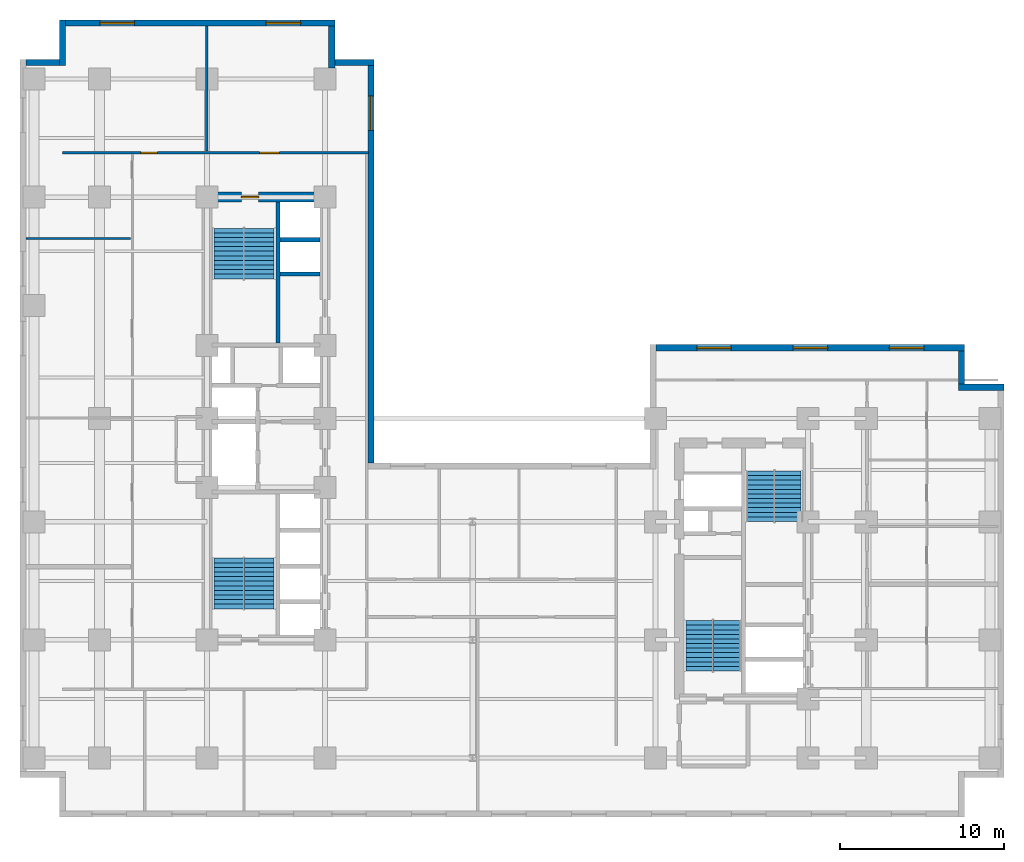
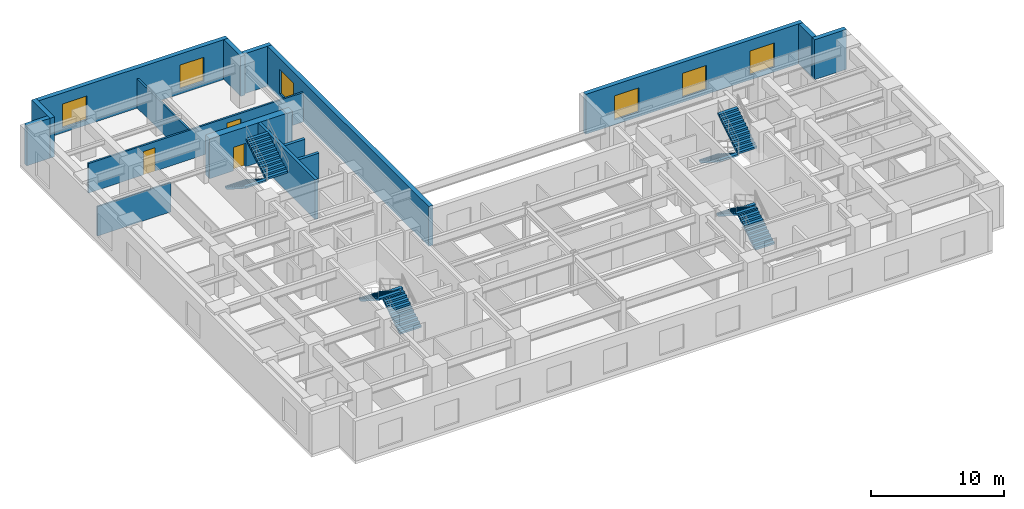
# One storey, part 6 of 9: 16 walls, 8 stair flights, 6 windows, 3 doors, 9 openings, 4 elements without a shape of their own.
"""IFC4 building model written with IfcOpenShell, lengths in metres."""

from ifc_helpers import new_model, entity, si_unit, converted_unit, direction, frame, origin_with_axes, origin_2d_with_axis, place, context, subcontext, project, spatial, polyline, rectangle, outline, extrude, material, layer, layer_set, type_object, element, fill, aggregate, save


model = new_model("IFC4")

# Units and contexts
model_context = context("Model", 3, precision=1e-05, world=origin_with_axes(), true_north=direction((0.0, 1.0)))
body_context = subcontext(model_context, "Body", "Model", "MODEL_VIEW")
ifc_project = project(units=[si_unit("LENGTHUNIT", "METRE"), si_unit("AREAUNIT", "SQUARE_METRE"), si_unit("VOLUMEUNIT", "CUBIC_METRE"), converted_unit("PLANEANGLEUNIT", "DEGREE", entity("IfcPlaneAngleMeasure", 0.017453292519943295), si_unit("PLANEANGLEUNIT", "RADIAN"), dimensions=[0, 0, 0, 0, 0, 0, 0]), si_unit("MASSUNIT", "GRAM", prefix="KILO"), si_unit("THERMODYNAMICTEMPERATUREUNIT", "KELVIN")], contexts=[model_context])

# Site, building, storey
site_placement = place(None, origin_with_axes())
site = spatial("IfcSite", under=ifc_project, at=site_placement, CompositionType="ELEMENT")
building_placement = place(site_placement, origin_with_axes())
building = spatial("IfcBuilding", under=site, at=building_placement, Name="Varnlund Millrace Tower", CompositionType="ELEMENT")
storey_placement = place(building_placement, frame((0.0, 0.0, 40.5), z_axis=(0.0, 0.0, 1.0), x_axis=(1.0, 0.0, 0.0)))
storey = spatial("IfcBuildingStorey", under=building, at=storey_placement, Name="L09", CompositionType="ELEMENT", Elevation=40.5)

# Wall, opening, door
ifc_material_1 = material(Name="Concrete C80/95", Category="concrete")
ifc_layer_1 = layer(ifc_material_1, 0.6, Name="Concrete C80/95")
ifc_layer_set_1 = layer_set([ifc_layer_1], Name="Concrete C80/95")
wall_type_1 = type_object("IfcWallType", Name="Type-CoreWall-Shear-600-C80", PredefinedType="SHEAR", material=ifc_layer_set_1)
wall_1_placement = place(storey_placement, frame((11.4, 37.8, 0.0), z_axis=(0.0, 0.0, 1.0), x_axis=(1.0, 0.0, 0.0)))
wall_1 = element("IfcWall", 1, at=wall_1_placement, inside=storey, type_object=wall_type_1, Name="Type-CoreWall-Shear-600-C80", PredefinedType="SHEAR", context=body_context, shape_type="SweptSolid", body=[
    extrude(outline(polyline([(0.0, -0.3), (7.2, -0.3), (7.2, 0.3), (0.0, 0.3), (0.0, -0.3)])), origin_with_axes(), (0.0, 0.0, 1.0), 3.66),
])
opening_1_placement = place(wall_1_placement, frame((2.625, 0.0, 0.0), z_axis=(0.0, 0.0, 1.0), x_axis=(1.0, 0.0, 0.0)))
opening_1 = element("IfcOpeningElement", 2, at=opening_1_placement, cuts=wall_1, Name="Opening L09:DR-STA2", PredefinedType="OPENING", context=body_context, shape_type="SweptSolid", body=[
    extrude(rectangle(XDim=1.05, YDim=0.62, at=origin_2d_with_axis()), origin_with_axes(), (0.0, 0.0, 1.0), 2.15),
])
ifc_material_2 = material(Name="Fire-rated hollow steel door", Category="steel")
door_type_1 = type_object("IfcDoorType", Name="Type-FireDoor-Stair-1050X2150", OperationType="NOTDEFINED", PredefinedType="DOOR", material=ifc_material_2)
door_1_placement = place(wall_1_placement, frame((2.625, 0.0, 0.0), z_axis=(0.0, 0.0, 1.0), x_axis=(1.0, 0.0, 0.0)))
door_1 = element("IfcDoor", 3, at=door_1_placement, inside=storey, type_object=door_type_1, Name="Type-FireDoor-Stair-1050X2150", OperationType="SINGLE_SWING_RIGHT", OverallHeight=2.15, OverallWidth=1.05, PredefinedType="DOOR", context=body_context, shape_type="SweptSolid", body=[
    extrude(rectangle(XDim=1.05, YDim=0.09, at=origin_2d_with_axis()), origin_with_axes(), (0.0, 0.0, 1.0), 2.15),
])
fill(opening_1, door_1)

# Wall, openings, windows
ifc_material_3 = material(Name="Precast concrete C50/60", Category="concrete")
ifc_layer_2 = layer(ifc_material_3, 0.38, Name="Precast concrete C50/60")
ifc_layer_set_2 = layer_set([ifc_layer_2], Name="Precast concrete C50/60")
wall_type_2 = type_object("IfcWallType", Name="Type-ExtWall-Precast-Tube-380", PredefinedType="SOLIDWALL", material=ifc_layer_set_2)
wall_2_placement = place(storey_placement, frame((38.78, 28.61, 0.0), z_axis=(0.0, 0.0, 1.0), x_axis=(1.0, 0.0, 0.0)))
wall_2 = element("IfcWall", 4, at=wall_2_placement, inside=storey, type_object=wall_type_2, Name="Type-ExtWall-Precast-Tube-380", PredefinedType="SOLIDWALL", context=body_context, shape_type="SweptSolid", body=[
    extrude(outline(polyline([(0.0, -0.19), (18.82, -0.19), (18.82, 0.19), (0.0, 0.19), (0.0, -0.19)])), origin_with_axes(), (0.0, 0.0, 1.0), 3.66),
])
opening_2_placement = place(wall_2_placement, frame((3.537, 0.0, 0.45), z_axis=(0.0, 0.0, 1.0), x_axis=(1.0, 0.0, 0.0)))
opening_2 = element("IfcOpeningElement", 5, at=opening_2_placement, cuts=wall_2, Name="Opening L09:WN-01", PredefinedType="OPENING", context=body_context, shape_type="SweptSolid", body=[
    extrude(rectangle(XDim=2.1, YDim=0.4, at=origin_2d_with_axis()), origin_with_axes(), (0.0, 0.0, 1.0), 2.2),
])
opening_3_placement = place(wall_2_placement, frame((9.41, 0.0, 0.45), z_axis=(0.0, 0.0, 1.0), x_axis=(1.0, 0.0, 0.0)))
opening_3 = element("IfcOpeningElement", 6, at=opening_3_placement, cuts=wall_2, Name="Opening L09:WN-02", PredefinedType="OPENING", context=body_context, shape_type="SweptSolid", body=[
    extrude(rectangle(XDim=2.1, YDim=0.4, at=origin_2d_with_axis()), origin_with_axes(), (0.0, 0.0, 1.0), 2.2),
])
opening_4_placement = place(wall_2_placement, frame((15.283, 0.0, 0.45), z_axis=(0.0, 0.0, 1.0), x_axis=(1.0, 0.0, 0.0)))
opening_4 = element("IfcOpeningElement", 7, at=opening_4_placement, cuts=wall_2, Name="Opening L09:WN-03", PredefinedType="OPENING", context=body_context, shape_type="SweptSolid", body=[
    extrude(rectangle(XDim=2.1, YDim=0.4, at=origin_2d_with_axis()), origin_with_axes(), (0.0, 0.0, 1.0), 2.2),
])
ifc_material_4 = material(Name="Argon low-e triple glazing in thermally broken bronze frame", Category="glass")
window_type = type_object("IfcWindowType", Name="Type-Window-Punched-2100X2200", PartitioningType="SINGLE_PANEL", PredefinedType="WINDOW", material=ifc_material_4)
window_1_placement = place(wall_2_placement, frame((3.537, 0.0, 0.45), z_axis=(0.0, 0.0, 1.0), x_axis=(1.0, 0.0, 0.0)))
window_1 = element("IfcWindow", 8, at=window_1_placement, inside=storey, type_object=window_type, Name="Type-Window-Punched-2100X2200", OverallHeight=2.2, OverallWidth=2.1, PredefinedType="WINDOW", context=body_context, shape_type="SweptSolid", body=[
    extrude(rectangle(XDim=2.1, YDim=0.09, at=origin_2d_with_axis()), origin_with_axes(), (0.0, 0.0, 1.0), 2.2),
])
fill(opening_2, window_1)
window_2_placement = place(wall_2_placement, frame((9.41, 0.0, 0.45), z_axis=(0.0, 0.0, 1.0), x_axis=(1.0, 0.0, 0.0)))
window_2 = element("IfcWindow", 9, at=window_2_placement, inside=storey, type_object=window_type, Name="Type-Window-Punched-2100X2200", OverallHeight=2.2, OverallWidth=2.1, PredefinedType="WINDOW", context=body_context, shape_type="SweptSolid", body=[
    extrude(rectangle(XDim=2.1, YDim=0.09, at=origin_2d_with_axis()), origin_with_axes(), (0.0, 0.0, 1.0), 2.2),
])
fill(opening_3, window_2)
window_3_placement = place(wall_2_placement, frame((15.283, 0.0, 0.45), z_axis=(0.0, 0.0, 1.0), x_axis=(1.0, 0.0, 0.0)))
window_3 = element("IfcWindow", 10, at=window_3_placement, inside=storey, type_object=window_type, Name="Type-Window-Punched-2100X2200", OverallHeight=2.2, OverallWidth=2.1, PredefinedType="WINDOW", context=body_context, shape_type="SweptSolid", body=[
    extrude(rectangle(XDim=2.1, YDim=0.09, at=origin_2d_with_axis()), origin_with_axes(), (0.0, 0.0, 1.0), 2.2),
])
fill(opening_4, window_3)

# Walls
wall_3_placement = place(storey_placement, frame((57.41, 28.42, 0.0), z_axis=(0.0, 0.0, 1.0), x_axis=(0.0, -1.0, 0.0)))
element("IfcWall", 11, at=wall_3_placement, inside=storey, type_object=wall_type_2, Name="Type-ExtWall-Precast-Tube-380", PredefinedType="SOLIDWALL", context=body_context, shape_type="SweptSolid", body=[
    extrude(outline(polyline([(0.0, -0.19), (2.02, -0.19), (2.02, 0.19), (0.0, 0.19), (0.0, -0.19)])), origin_with_axes(), (0.0, 0.0, 1.0), 3.66),
])
wall_4_placement = place(storey_placement, frame((57.22, 26.21, 0.0), z_axis=(0.0, 0.0, 1.0), x_axis=(1.0, 0.0, 0.0)))
element("IfcWall", 12, at=wall_4_placement, inside=storey, type_object=wall_type_2, Name="Type-ExtWall-Precast-Tube-380", PredefinedType="SOLIDWALL", context=body_context, shape_type="SweptSolid", body=[
    extrude(outline(polyline([(0.0, -0.19), (2.78, -0.19), (2.78, 0.19), (0.0, 0.19), (0.0, -0.19)])), origin_with_axes(), (0.0, 0.0, 1.0), 3.66),
])
wall_5_placement = place(storey_placement, frame((0.38, 46.01, 0.0), z_axis=(0.0, 0.0, 1.0), x_axis=(1.0, 0.0, 0.0)))
element("IfcWall", 13, at=wall_5_placement, inside=storey, type_object=wall_type_2, Name="Type-ExtWall-Precast-Tube-380", PredefinedType="SOLIDWALL", context=body_context, shape_type="SweptSolid", body=[
    extrude(outline(polyline([(0.0, -0.19), (2.02, -0.19), (2.02, 0.19), (0.0, 0.19), (0.0, -0.19)])), origin_with_axes(), (0.0, 0.0, 1.0), 3.66),
])
wall_6_placement = place(storey_placement, frame((2.59, 45.82, 0.0), z_axis=(0.0, 0.0, 1.0), x_axis=(0.0, 1.0, 0.0)))
element("IfcWall", 14, at=wall_6_placement, inside=storey, type_object=wall_type_2, Name="Type-ExtWall-Precast-Tube-380", PredefinedType="SOLIDWALL", context=body_context, shape_type="SweptSolid", body=[
    extrude(outline(polyline([(0.0, -0.19), (2.78, -0.19), (2.78, 0.19), (0.0, 0.19), (0.0, -0.19)])), origin_with_axes(), (0.0, 0.0, 1.0), 3.66),
])

# Wall, openings, windows
wall_7_placement = place(storey_placement, frame((2.78, 48.41, 0.0), z_axis=(0.0, 0.0, 1.0), x_axis=(1.0, 0.0, 0.0)))
wall_7 = element("IfcWall", 15, at=wall_7_placement, inside=storey, type_object=wall_type_2, Name="Type-ExtWall-Precast-Tube-380", PredefinedType="SOLIDWALL", context=body_context, shape_type="SweptSolid", body=[
    extrude(outline(polyline([(0.0, -0.19), (16.42, -0.19), (16.42, 0.19), (0.0, 0.19), (0.0, -0.19)])), origin_with_axes(), (0.0, 0.0, 1.0), 3.66),
])
opening_5_placement = place(wall_7_placement, frame((3.137, 0.0, 0.45), z_axis=(0.0, 0.0, 1.0), x_axis=(1.0, 0.0, 0.0)))
opening_5 = element("IfcOpeningElement", 16, at=opening_5_placement, cuts=wall_7, Name="Opening L09:WN-21", PredefinedType="OPENING", context=body_context, shape_type="SweptSolid", body=[
    extrude(rectangle(XDim=2.1, YDim=0.4, at=origin_2d_with_axis()), origin_with_axes(), (0.0, 0.0, 1.0), 2.2),
])
opening_6_placement = place(wall_7_placement, frame((13.283, 0.0, 0.45), z_axis=(0.0, 0.0, 1.0), x_axis=(1.0, 0.0, 0.0)))
opening_6 = element("IfcOpeningElement", 17, at=opening_6_placement, cuts=wall_7, Name="Opening L09:WN-22", PredefinedType="OPENING", context=body_context, shape_type="SweptSolid", body=[
    extrude(rectangle(XDim=2.1, YDim=0.4, at=origin_2d_with_axis()), origin_with_axes(), (0.0, 0.0, 1.0), 2.2),
])
window_4_placement = place(wall_7_placement, frame((3.137, 0.0, 0.45), z_axis=(0.0, 0.0, 1.0), x_axis=(1.0, 0.0, 0.0)))
window_4 = element("IfcWindow", 18, at=window_4_placement, inside=storey, type_object=window_type, Name="Type-Window-Punched-2100X2200", OverallHeight=2.2, OverallWidth=2.1, PredefinedType="WINDOW", context=body_context, shape_type="SweptSolid", body=[
    extrude(rectangle(XDim=2.1, YDim=0.09, at=origin_2d_with_axis()), origin_with_axes(), (0.0, 0.0, 1.0), 2.2),
])
fill(opening_5, window_4)
window_5_placement = place(wall_7_placement, frame((13.283, 0.0, 0.45), z_axis=(0.0, 0.0, 1.0), x_axis=(1.0, 0.0, 0.0)))
window_5 = element("IfcWindow", 19, at=window_5_placement, inside=storey, type_object=window_type, Name="Type-Window-Punched-2100X2200", OverallHeight=2.2, OverallWidth=2.1, PredefinedType="WINDOW", context=body_context, shape_type="SweptSolid", body=[
    extrude(rectangle(XDim=2.1, YDim=0.09, at=origin_2d_with_axis()), origin_with_axes(), (0.0, 0.0, 1.0), 2.2),
])
fill(opening_6, window_5)

# Walls
wall_8_placement = place(storey_placement, frame((19.01, 48.22, 0.0), z_axis=(0.0, 0.0, 1.0), x_axis=(0.0, -1.0, 0.0)))
element("IfcWall", 20, at=wall_8_placement, inside=storey, type_object=wall_type_2, Name="Type-ExtWall-Precast-Tube-380", PredefinedType="SOLIDWALL", context=body_context, shape_type="SweptSolid", body=[
    extrude(outline(polyline([(0.0, -0.19), (2.56, -0.19), (2.56, 0.19), (0.0, 0.19), (0.0, -0.19)])), origin_with_axes(), (0.0, 0.0, 1.0), 3.66),
])
wall_9_placement = place(storey_placement, frame((18.82, 46.01, 0.0), z_axis=(0.0, 0.0, 1.0), x_axis=(1.0, 0.0, 0.0)))
element("IfcWall", 21, at=wall_9_placement, inside=storey, type_object=wall_type_2, Name="Type-ExtWall-Precast-Tube-380", PredefinedType="SOLIDWALL", context=body_context, shape_type="SweptSolid", body=[
    extrude(outline(polyline([(0.0, -0.19), (2.78, -0.19), (2.78, 0.19), (0.0, 0.19), (0.0, -0.19)])), origin_with_axes(), (0.0, 0.0, 1.0), 3.66),
])

# Wall, opening, window
wall_10_placement = place(storey_placement, frame((21.41, 45.82, 0.0), z_axis=(0.0, 0.0, 1.0), x_axis=(0.0, -1.0, 0.0)))
wall_10 = element("IfcWall", 22, at=wall_10_placement, inside=storey, type_object=wall_type_2, Name="Type-ExtWall-Precast-Tube-380", PredefinedType="SOLIDWALL", context=body_context, shape_type="SweptSolid", body=[
    extrude(outline(polyline([(0.0, -0.19), (24.22, -0.19), (24.22, 0.19), (0.0, 0.19), (0.0, -0.19)])), origin_with_axes(), (0.0, 0.0, 1.0), 3.66),
])
opening_7_placement = place(wall_10_placement, frame((2.902, 0.0, 0.45), z_axis=(0.0, 0.0, 1.0), x_axis=(1.0, 0.0, 0.0)))
opening_7 = element("IfcOpeningElement", 23, at=opening_7_placement, cuts=wall_10, Name="Opening L09:WN-23", PredefinedType="OPENING", context=body_context, shape_type="SweptSolid", body=[
    extrude(rectangle(XDim=2.1, YDim=0.4, at=origin_2d_with_axis()), origin_with_axes(), (0.0, 0.0, 1.0), 2.2),
])
window_6_placement = place(wall_10_placement, frame((2.902, 0.0, 0.45), z_axis=(0.0, 0.0, 1.0), x_axis=(1.0, 0.0, 0.0)))
window_6 = element("IfcWindow", 24, at=window_6_placement, inside=storey, type_object=window_type, Name="Type-Window-Punched-2100X2200", OverallHeight=2.2, OverallWidth=2.1, PredefinedType="WINDOW", context=body_context, shape_type="SweptSolid", body=[
    extrude(rectangle(XDim=2.1, YDim=0.09, at=origin_2d_with_axis()), origin_with_axes(), (0.0, 0.0, 1.0), 2.2),
])
fill(opening_7, window_6)

# Wall, openings, doors
ifc_material_5 = material(Name="Fire-rated gypsum board on cold-formed steel framing", Category="steel")
ifc_layer_3 = layer(ifc_material_5, 0.16, Name="Fire-rated gypsum board on cold-formed steel framing")
ifc_layer_set_3 = layer_set([ifc_layer_3], Name="Fire-rated gypsum board on cold-formed steel framing")
wall_type_3 = type_object("IfcWallType", Name="Type-Partition-Corridor-160", PredefinedType="PARTITIONING", material=ifc_layer_set_3)
wall_11_placement = place(storey_placement, frame((2.6, 40.5, 0.0), z_axis=(0.0, 0.0, 1.0), x_axis=(1.0, 0.0, 0.0)))
wall_11 = element("IfcWall", 25, at=wall_11_placement, inside=storey, type_object=wall_type_3, Name="Type-Partition-Corridor-160", PredefinedType="PARTITIONING", context=body_context, shape_type="SweptSolid", body=[
    extrude(outline(polyline([(0.0, -0.08), (18.65, -0.08), (18.65, 0.08), (0.0, 0.08), (0.0, -0.08)])), origin_with_axes(), (0.0, 0.0, 1.0), 2.7),
])
opening_8_placement = place(wall_11_placement, frame((5.275, 0.0, 0.0), z_axis=(0.0, 0.0, 1.0), x_axis=(1.0, 0.0, 0.0)))
opening_8 = element("IfcOpeningElement", 26, at=opening_8_placement, cuts=wall_11, Name="Opening L09:DR-WAN-01", PredefinedType="OPENING", context=body_context, shape_type="SweptSolid", body=[
    extrude(rectangle(XDim=1.0, YDim=0.18, at=origin_2d_with_axis()), origin_with_axes(), (0.0, 0.0, 1.0), 2.15),
])
opening_9_placement = place(wall_11_placement, frame((12.61, 0.0, 0.0), z_axis=(0.0, 0.0, 1.0), x_axis=(1.0, 0.0, 0.0)))
opening_9 = element("IfcOpeningElement", 27, at=opening_9_placement, cuts=wall_11, Name="Opening L09:DR-WAN-02", PredefinedType="OPENING", context=body_context, shape_type="SweptSolid", body=[
    extrude(rectangle(XDim=1.2, YDim=0.18, at=origin_2d_with_axis()), origin_with_axes(), (0.0, 0.0, 1.0), 2.2),
])
ifc_material_6 = material(Name="Wide executive white oak acoustic door")
door_type_2 = type_object("IfcDoorType", Name="Type-IntDoor-Exec-1200X2200", OperationType="NOTDEFINED", PredefinedType="DOOR", material=ifc_material_6)
door_2_placement = place(wall_11_placement, frame((12.61, 0.0, 0.0), z_axis=(0.0, 0.0, 1.0), x_axis=(1.0, 0.0, 0.0)))
door_2 = element("IfcDoor", 28, at=door_2_placement, inside=storey, type_object=door_type_2, Name="Type-IntDoor-Exec-1200X2200", OperationType="SINGLE_SWING_RIGHT", OverallHeight=2.2, OverallWidth=1.2, PredefinedType="DOOR", context=body_context, shape_type="SweptSolid", body=[
    extrude(rectangle(XDim=1.2, YDim=0.09, at=origin_2d_with_axis()), origin_with_axes(), (0.0, 0.0, 1.0), 2.2),
])
fill(opening_9, door_2)
ifc_material_7 = material(Name="Solid-core white oak and bronze frame door")
door_type_3 = type_object("IfcDoorType", Name="Type-IntDoor-Office-1000X2150", OperationType="NOTDEFINED", PredefinedType="DOOR", material=ifc_material_7)
door_3_placement = place(wall_11_placement, frame((5.275, 0.0, 0.0), z_axis=(0.0, 0.0, 1.0), x_axis=(1.0, 0.0, 0.0)))
door_3 = element("IfcDoor", 29, at=door_3_placement, inside=storey, type_object=door_type_3, Name="Type-IntDoor-Office-1000X2150", OperationType="SINGLE_SWING_LEFT", OverallHeight=2.15, OverallWidth=1.0, PredefinedType="DOOR", context=body_context, shape_type="SweptSolid", body=[
    extrude(rectangle(XDim=1.0, YDim=0.09, at=origin_2d_with_axis()), origin_with_axes(), (0.0, 0.0, 1.0), 2.15),
])
fill(opening_8, door_3)

# Walls
ifc_material_8 = material(Name="Acoustic STC-50 gypsum board partition", Category="gypsum")
ifc_layer_4 = layer(ifc_material_8, 0.15, Name="Acoustic STC-50 gypsum board partition")
ifc_layer_set_4 = layer_set([ifc_layer_4], Name="Acoustic STC-50 gypsum board partition")
wall_type_4 = type_object("IfcWallType", Name="Type-Partition-Demising-150", PredefinedType="PARTITIONING", material=ifc_layer_set_4)
wall_12_placement = place(storey_placement, frame((11.4, 40.6, 0.0), z_axis=(0.0, 0.0, 1.0), x_axis=(0.0, 1.0, 0.0)))
element("IfcWall", 30, at=wall_12_placement, inside=storey, type_object=wall_type_4, Name="Type-Partition-Demising-150", PredefinedType="PARTITIONING", context=body_context, shape_type="SweptSolid", body=[
    extrude(outline(polyline([(0.0, -0.075), (7.64, -0.075), (7.64, 0.075), (0.0, 0.075), (0.0, -0.075)])), origin_with_axes(), (0.0, 0.0, 1.0), 2.7),
])
ifc_material_9 = material(Name="Gypsum board tenant partition", Category="gypsum")
ifc_layer_5 = layer(ifc_material_9, 0.125, Name="Gypsum board tenant partition")
ifc_layer_set_5 = layer_set([ifc_layer_5], Name="Gypsum board tenant partition")
wall_type_5 = type_object("IfcWallType", Name="Type-Partition-Tenant-125", PredefinedType="PARTITIONING", material=ifc_layer_set_5)
wall_13_placement = place(storey_placement, frame((0.375, 35.27, 0.0), z_axis=(0.0, 0.0, 1.0), x_axis=(1.0, 0.0, 0.0)))
element("IfcWall", 31, at=wall_13_placement, inside=storey, type_object=wall_type_5, Name="Type-Partition-Tenant-125", PredefinedType="PARTITIONING", context=body_context, shape_type="SweptSolid", body=[
    extrude(outline(polyline([(0.0, -0.0625), (6.355, -0.0625), (6.355, 0.0625), (0.0, 0.0625), (0.0, -0.0625)])), origin_with_axes(), (0.0, 0.0, 1.0), 2.7),
])
ifc_material_10 = material(Name="Concrete C60/75", Category="concrete")
ifc_layer_6 = layer(ifc_material_10, 0.25, Name="Concrete C60/75")
ifc_layer_set_6 = layer_set([ifc_layer_6], Name="Concrete C60/75")
wall_type_6 = type_object("IfcWallType", Name="Type-ShaftWall-Fire-250", PredefinedType="SOLIDWALL", material=ifc_layer_set_6)
for number, where, z_axis, x_axis, name in (
    (32, (15.84, 33.1, 0.0), (0.0, 0.0, 1.0), (1.0, 0.0, 0.0), "Type-ShaftWall-Fire-250"),
    (33, (15.84, 35.2, 0.0), (0.0, 0.0, 1.0), (1.0, 0.0, 0.0), "Type-ShaftWall-Fire-250"),
):
    element("IfcWall", number, at=place(storey_placement, frame(where, z_axis=z_axis, x_axis=x_axis)), inside=storey, type_object=wall_type_6, Name=name, PredefinedType="SOLIDWALL", context=body_context, shape_type="SweptSolid", body=[
        extrude(outline(polyline([(0.0, -0.125), (2.46, -0.125), (2.46, 0.125), (0.0, 0.125), (0.0, -0.125)])), origin_with_axes(), (0.0, 0.0, 1.0), 2.7),
    ])
wall_type_7 = type_object("IfcWallType", Name="Type-StairWall-Shear-250", PredefinedType="SHEAR", material=ifc_layer_set_6)
wall_14_placement = place(storey_placement, frame((15.725, 28.9, 0.0), z_axis=(0.0, 0.0, 1.0), x_axis=(0.0, 1.0, 0.0)))
element("IfcWall", 34, at=wall_14_placement, inside=storey, type_object=wall_type_7, Name="Type-StairWall-Shear-250", PredefinedType="SHEAR", context=body_context, shape_type="SweptSolid", body=[
    extrude(outline(polyline([(0.0, -0.125), (8.6, -0.125), (8.6, 0.125), (0.0, 0.125), (0.0, -0.125)])), origin_with_axes(), (0.0, 0.0, 1.0), 3.66),
])

# Stair, stair flights
ifc_material_11 = material(Name="Concrete C50/60", Category="concrete")
stair_type_1 = type_object("IfcStairType", Name="Type-Stair-Dogleg-165-390", PredefinedType="HALF_TURN_STAIR", material=ifc_material_11)
stair_1_placement = place(storey_placement, origin_with_axes())
stair_1 = element("IfcStair", 35, at=stair_1_placement, inside=storey, type_object=stair_type_1, Name="Type-Stair-Dogleg-165-390", PredefinedType="HALF_TURN_STAIR")
stair_flight_type_1 = type_object("IfcStairFlightType", Name="Type-Dogleg-Run-165-390", PredefinedType="STRAIGHT", material=ifc_material_3)
stair_flight_1_placement = place(storey_placement, frame((42.225, 8.9, 0.0), z_axis=(1.0, 0.0, 0.0), x_axis=(0.0, 1.0, 0.0)))
stair_flight_1 = element("IfcStairFlight", 36, at=stair_flight_1_placement, type_object=stair_flight_type_1, Name="ST-B1 flight 1", NumberOfRisers=11, NumberOfTreads=11, PredefinedType="STRAIGHT", RiserHeight=0.177273, TreadLength=0.28, context=body_context, shape_type="SweptSolid", body=[
    extrude(outline(polyline([(0.0, 0.0), (0.0, 0.177273), (0.28, 0.177273), (0.28, 0.354545), (0.56, 0.354545), (0.56, 0.531818), (0.84, 0.531818), (0.84, 0.709091), (1.12, 0.709091), (1.12, 0.886364), (1.4, 0.886364), (1.4, 1.063636), (1.68, 1.063636), (1.68, 1.240909), (1.96, 1.240909), (1.96, 1.418182), (2.24, 1.418182), (2.24, 1.595454), (2.52, 1.595454), (2.52, 1.772727), (2.8, 1.772727), (2.8, 1.95), (3.08, 1.95), (3.08, 1.8), (0.28, 0.0), (0.0, 0.0)])), origin_with_axes(), (0.0, 0.0, 1.0), 1.65),
])
stair_flight_2_placement = place(storey_placement, frame((42.275, 11.98, 1.95), z_axis=(-1.0, 0.0, 0.0), x_axis=(0.0, -1.0, 0.0)))
stair_flight_2 = element("IfcStairFlight", 37, at=stair_flight_2_placement, type_object=stair_flight_type_1, Name="ST-B1 flight 2", NumberOfRisers=11, NumberOfTreads=11, PredefinedType="STRAIGHT", RiserHeight=0.177273, TreadLength=0.28, context=body_context, shape_type="SweptSolid", body=[
    extrude(outline(polyline([(0.0, 0.0), (0.0, 0.177273), (0.28, 0.177273), (0.28, 0.354545), (0.56, 0.354545), (0.56, 0.531818), (0.84, 0.531818), (0.84, 0.709091), (1.12, 0.709091), (1.12, 0.886364), (1.4, 0.886364), (1.4, 1.063636), (1.68, 1.063636), (1.68, 1.240909), (1.96, 1.240909), (1.96, 1.418182), (2.24, 1.418182), (2.24, 1.595454), (2.52, 1.595454), (2.52, 1.772727), (2.8, 1.772727), (2.8, 1.95), (3.08, 1.95), (3.08, 1.8), (0.28, 0.0), (0.0, 0.0)])), origin_with_axes(), (0.0, 0.0, 1.0), 1.65),
])
aggregate(stair_1, [stair_flight_1, stair_flight_2])

stair_2_placement = place(storey_placement, origin_with_axes())
stair_2 = element("IfcStair", 38, at=stair_2_placement, inside=storey, type_object=stair_type_1, Name="Type-Stair-Dogleg-165-390", PredefinedType="HALF_TURN_STAIR")
stair_flight_3_placement = place(storey_placement, frame((46.025, 21.1, 0.0), z_axis=(-1.0, 0.0, 0.0), x_axis=(0.0, -1.0, 0.0)))
stair_flight_3 = element("IfcStairFlight", 39, at=stair_flight_3_placement, type_object=stair_flight_type_1, Name="ST-B2 flight 1", NumberOfRisers=11, NumberOfTreads=11, PredefinedType="STRAIGHT", RiserHeight=0.177273, TreadLength=0.28, context=body_context, shape_type="SweptSolid", body=[
    extrude(outline(polyline([(0.0, 0.0), (0.0, 0.177273), (0.28, 0.177273), (0.28, 0.354545), (0.56, 0.354545), (0.56, 0.531818), (0.84, 0.531818), (0.84, 0.709091), (1.12, 0.709091), (1.12, 0.886364), (1.4, 0.886364), (1.4, 1.063636), (1.68, 1.063636), (1.68, 1.240909), (1.96, 1.240909), (1.96, 1.418182), (2.24, 1.418182), (2.24, 1.595454), (2.52, 1.595454), (2.52, 1.772727), (2.8, 1.772727), (2.8, 1.95), (3.08, 1.95), (3.08, 1.8), (0.28, 0.0), (0.0, 0.0)])), origin_with_axes(), (0.0, 0.0, 1.0), 1.65),
])
stair_flight_4_placement = place(storey_placement, frame((45.975, 18.02, 1.95), z_axis=(1.0, 0.0, 0.0), x_axis=(0.0, 1.0, 0.0)))
stair_flight_4 = element("IfcStairFlight", 40, at=stair_flight_4_placement, type_object=stair_flight_type_1, Name="ST-B2 flight 2", NumberOfRisers=11, NumberOfTreads=11, PredefinedType="STRAIGHT", RiserHeight=0.177273, TreadLength=0.28, context=body_context, shape_type="SweptSolid", body=[
    extrude(outline(polyline([(0.0, 0.0), (0.0, 0.177273), (0.28, 0.177273), (0.28, 0.354545), (0.56, 0.354545), (0.56, 0.531818), (0.84, 0.531818), (0.84, 0.709091), (1.12, 0.709091), (1.12, 0.886364), (1.4, 0.886364), (1.4, 1.063636), (1.68, 1.063636), (1.68, 1.240909), (1.96, 1.240909), (1.96, 1.418182), (2.24, 1.418182), (2.24, 1.595454), (2.52, 1.595454), (2.52, 1.772727), (2.8, 1.772727), (2.8, 1.95), (3.08, 1.95), (3.08, 1.8), (0.28, 0.0), (0.0, 0.0)])), origin_with_axes(), (0.0, 0.0, 1.0), 1.65),
])
aggregate(stair_2, [stair_flight_3, stair_flight_4])

stair_type_2 = type_object("IfcStairType", Name="Type-Stair-Dogleg-185-390", PredefinedType="HALF_TURN_STAIR", material=ifc_material_11)
stair_3_placement = place(storey_placement, origin_with_axes())
stair_3 = element("IfcStair", 41, at=stair_3_placement, inside=storey, type_object=stair_type_2, Name="Type-Stair-Dogleg-185-390", PredefinedType="HALF_TURN_STAIR")
stair_flight_type_2 = type_object("IfcStairFlightType", Name="Type-Dogleg-Run-185-390", PredefinedType="STRAIGHT", material=ifc_material_3)
stair_flight_5_placement = place(storey_placement, frame((13.625, 12.7, 0.0), z_axis=(1.0, 0.0, 0.0), x_axis=(0.0, 1.0, 0.0)))
stair_flight_5 = element("IfcStairFlight", 42, at=stair_flight_5_placement, type_object=stair_flight_type_2, Name="ST-A1 flight 1", NumberOfRisers=11, NumberOfTreads=11, PredefinedType="STRAIGHT", RiserHeight=0.177273, TreadLength=0.28, context=body_context, shape_type="SweptSolid", body=[
    extrude(outline(polyline([(0.0, 0.0), (0.0, 0.177273), (0.28, 0.177273), (0.28, 0.354545), (0.56, 0.354545), (0.56, 0.531818), (0.84, 0.531818), (0.84, 0.709091), (1.12, 0.709091), (1.12, 0.886364), (1.4, 0.886364), (1.4, 1.063636), (1.68, 1.063636), (1.68, 1.240909), (1.96, 1.240909), (1.96, 1.418182), (2.24, 1.418182), (2.24, 1.595454), (2.52, 1.595454), (2.52, 1.772727), (2.8, 1.772727), (2.8, 1.95), (3.08, 1.95), (3.08, 1.8), (0.28, 0.0), (0.0, 0.0)])), origin_with_axes(), (0.0, 0.0, 1.0), 1.85),
])
stair_flight_6_placement = place(storey_placement, frame((13.675, 15.78, 1.95), z_axis=(-1.0, 0.0, 0.0), x_axis=(0.0, -1.0, 0.0)))
stair_flight_6 = element("IfcStairFlight", 43, at=stair_flight_6_placement, type_object=stair_flight_type_2, Name="ST-A1 flight 2", NumberOfRisers=11, NumberOfTreads=11, PredefinedType="STRAIGHT", RiserHeight=0.177273, TreadLength=0.28, context=body_context, shape_type="SweptSolid", body=[
    extrude(outline(polyline([(0.0, 0.0), (0.0, 0.177273), (0.28, 0.177273), (0.28, 0.354545), (0.56, 0.354545), (0.56, 0.531818), (0.84, 0.531818), (0.84, 0.709091), (1.12, 0.709091), (1.12, 0.886364), (1.4, 0.886364), (1.4, 1.063636), (1.68, 1.063636), (1.68, 1.240909), (1.96, 1.240909), (1.96, 1.418182), (2.24, 1.418182), (2.24, 1.595454), (2.52, 1.595454), (2.52, 1.772727), (2.8, 1.772727), (2.8, 1.95), (3.08, 1.95), (3.08, 1.8), (0.28, 0.0), (0.0, 0.0)])), origin_with_axes(), (0.0, 0.0, 1.0), 1.85),
])
aggregate(stair_3, [stair_flight_5, stair_flight_6])

stair_4_placement = place(storey_placement, origin_with_axes())
stair_4 = element("IfcStair", 44, at=stair_4_placement, inside=storey, type_object=stair_type_2, Name="Type-Stair-Dogleg-185-390", PredefinedType="HALF_TURN_STAIR")
stair_flight_7_placement = place(storey_placement, frame((13.675, 35.9, 0.0), z_axis=(-1.0, 0.0, 0.0), x_axis=(0.0, -1.0, 0.0)))
stair_flight_7 = element("IfcStairFlight", 45, at=stair_flight_7_placement, type_object=stair_flight_type_2, Name="ST-A2 flight 1", NumberOfRisers=11, NumberOfTreads=11, PredefinedType="STRAIGHT", RiserHeight=0.177273, TreadLength=0.28, context=body_context, shape_type="SweptSolid", body=[
    extrude(outline(polyline([(0.0, 0.0), (0.0, 0.177273), (0.28, 0.177273), (0.28, 0.354545), (0.56, 0.354545), (0.56, 0.531818), (0.84, 0.531818), (0.84, 0.709091), (1.12, 0.709091), (1.12, 0.886364), (1.4, 0.886364), (1.4, 1.063636), (1.68, 1.063636), (1.68, 1.240909), (1.96, 1.240909), (1.96, 1.418182), (2.24, 1.418182), (2.24, 1.595454), (2.52, 1.595454), (2.52, 1.772727), (2.8, 1.772727), (2.8, 1.95), (3.08, 1.95), (3.08, 1.8), (0.28, 0.0), (0.0, 0.0)])), origin_with_axes(), (0.0, 0.0, 1.0), 1.85),
])
stair_flight_8_placement = place(storey_placement, frame((13.625, 32.82, 1.95), z_axis=(1.0, 0.0, 0.0), x_axis=(0.0, 1.0, 0.0)))
stair_flight_8 = element("IfcStairFlight", 46, at=stair_flight_8_placement, type_object=stair_flight_type_2, Name="ST-A2 flight 2", NumberOfRisers=11, NumberOfTreads=11, PredefinedType="STRAIGHT", RiserHeight=0.177273, TreadLength=0.28, context=body_context, shape_type="SweptSolid", body=[
    extrude(outline(polyline([(0.0, 0.0), (0.0, 0.177273), (0.28, 0.177273), (0.28, 0.354545), (0.56, 0.354545), (0.56, 0.531818), (0.84, 0.531818), (0.84, 0.709091), (1.12, 0.709091), (1.12, 0.886364), (1.4, 0.886364), (1.4, 1.063636), (1.68, 1.063636), (1.68, 1.240909), (1.96, 1.240909), (1.96, 1.418182), (2.24, 1.418182), (2.24, 1.595454), (2.52, 1.595454), (2.52, 1.772727), (2.8, 1.772727), (2.8, 1.95), (3.08, 1.95), (3.08, 1.8), (0.28, 0.0), (0.0, 0.0)])), origin_with_axes(), (0.0, 0.0, 1.0), 1.85),
])
aggregate(stair_4, [stair_flight_7, stair_flight_8])

save(model, "model.ifc")
